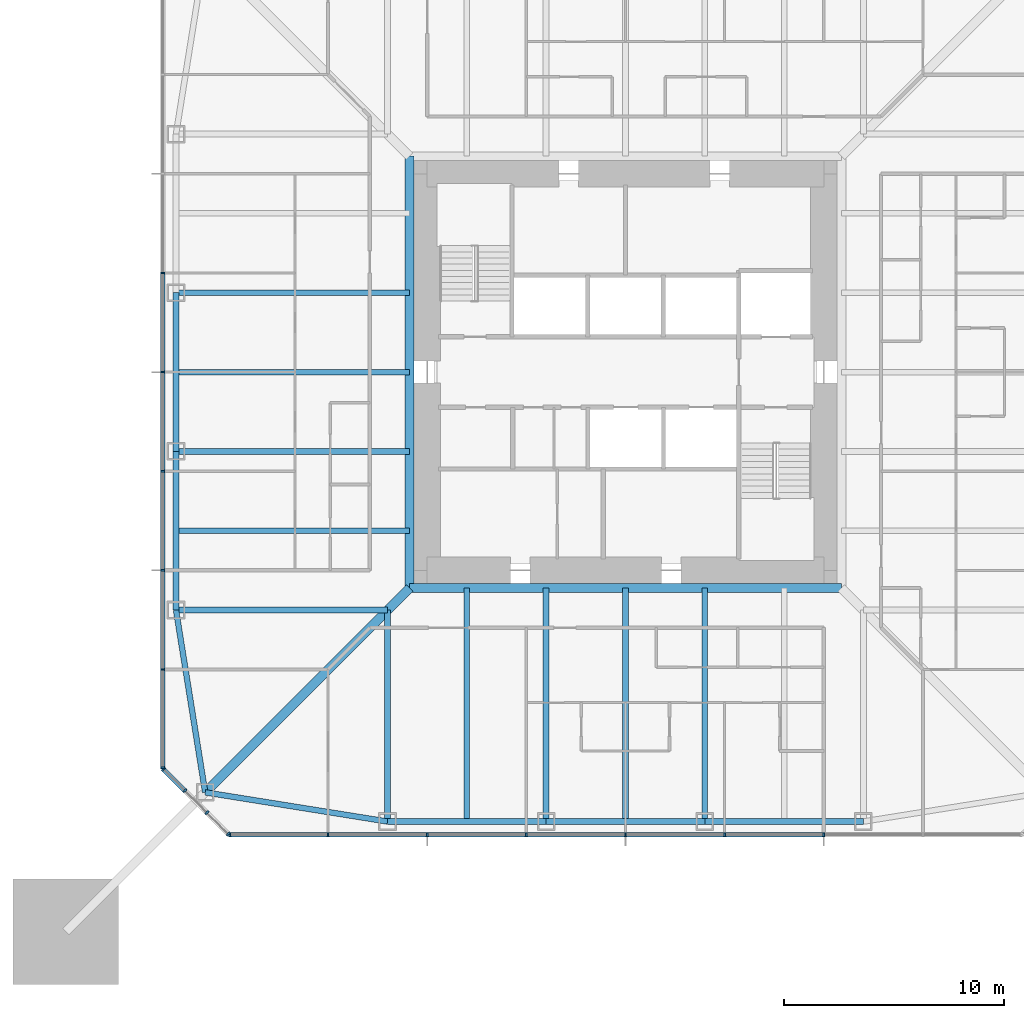
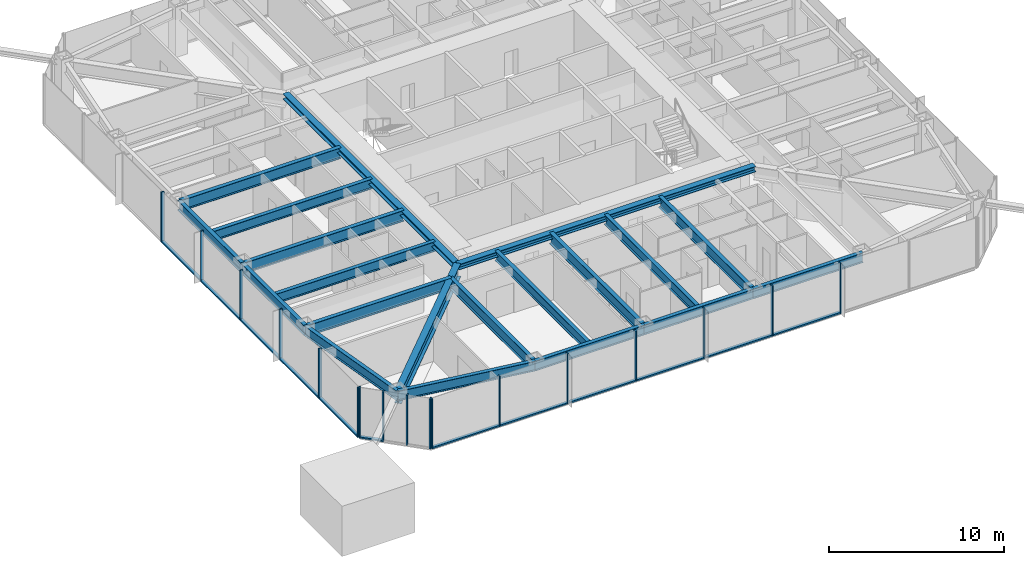
# One storey, part 2 of 14: 29 members, 20 beams, 3 elements without a shape of their own.
"""IFC4 building model written with IfcOpenShell, lengths in metres."""

from ifc_helpers import new_model, si_unit, direction, frame, origin, origin_2d, place, context, subcontext, project, spatial, rectangle, i_section, extrude, material, material_profile, profile_set, type_object, element, aggregate, save


model = new_model("IFC4")

# Units and contexts
model_context = context("Model", 3, precision=1e-05, world=origin(), true_north=direction((0.0, 1.0)))
body_context = subcontext(model_context, "Body", "Model", "MODEL_VIEW")
ifc_project = project(units=[si_unit("LENGTHUNIT", "METRE"), si_unit("AREAUNIT", "SQUARE_METRE"), si_unit("VOLUMEUNIT", "CUBIC_METRE"), si_unit("PLANEANGLEUNIT", "RADIAN"), si_unit("MASSUNIT", "GRAM", prefix="KILO")], contexts=[model_context])

# Site, building, storey
site_placement = place(None, origin())
site = spatial("IfcSite", under=ifc_project, at=site_placement, CompositionType="ELEMENT")
building_placement = place(site_placement, origin())
building = spatial("IfcBuilding", under=site, at=building_placement, Name="Iwan Alto Co-Living Towers", CompositionType="ELEMENT")
storey_placement = place(building_placement, frame((0.0, 0.0, 136.5)))
storey = spatial("IfcBuildingStorey", under=building, at=storey_placement, Name="L37", CompositionType="ELEMENT", Elevation=136.5)

# Curtain wall, members
ifc_material_1 = material(Name="Bronze aluminium unitised frame", Category="aluminium")
curtain_wall_type_1 = type_object("IfcCurtainWallType", Name="CURTAIN WALL CW-A", PredefinedType="NOTDEFINED", material=ifc_material_1)
curtain_wall_1_placement = place(storey_placement, origin())
curtain_wall_1 = element("IfcCurtainWall", 1, at=curtain_wall_1_placement, inside=storey, type_object=curtain_wall_type_1, Name="T1 curtain wall S L37", PredefinedType="NOTDEFINED")
ifc_material_2 = material(Name="Aluminium 6063-T6 bronze anodised", Category="aluminium")
ifc_material_profile_1 = material_profile(ifc_material_2, rectangle(XDim=0.199951171875, YDim=0.080078125, at=origin_2d()), Name="AL 80X200")
ifc_profile_set_1 = profile_set([ifc_material_profile_1], Name="Aluminium 6063-T6 bronze anodised")
member_type_1 = type_object("IfcMemberType", Name="CW-A MULLION 80X200", PredefinedType="MULLION", material=ifc_profile_set_1)
member_1_placement = place(storey_placement, frame((-17.9599609375, -21.0, 0.0), z_axis=(0.0, 0.0, 1.0), x_axis=(0.0, 1.0, 0.0)))
member_1 = element("IfcMember", 2, at=member_1_placement, type_object=member_type_1, Name="CW-A mullion 1", PredefinedType="MULLION", context=body_context, shape_type="SweptSolid", body=[
    extrude(rectangle(XDim=0.199951171875, YDim=0.080078125, at=origin_2d()), origin(), (0.0, 0.0, 1.0), 3.5),
])
member_2_placement = place(storey_placement, frame((-13.5, -21.0, 0.0), z_axis=(0.0, 0.0, 1.0), x_axis=(0.0, 1.0, 0.0)))
member_2 = element("IfcMember", 3, at=member_2_placement, type_object=member_type_1, Name="CW-A mullion 2", PredefinedType="MULLION", context=body_context, shape_type="SweptSolid", body=[
    extrude(rectangle(XDim=0.199951171875, YDim=0.080078125, at=origin_2d()), origin(), (0.0, 0.0, 1.0), 3.5),
])
member_3_placement = place(storey_placement, frame((-9.0, -21.0, 0.0), z_axis=(0.0, 0.0, 1.0), x_axis=(0.0, 1.0, 0.0)))
member_3 = element("IfcMember", 4, at=member_3_placement, type_object=member_type_1, Name="CW-A mullion 3", PredefinedType="MULLION", context=body_context, shape_type="SweptSolid", body=[
    extrude(rectangle(XDim=0.199951171875, YDim=0.080078125, at=origin_2d()), origin(), (0.0, 0.0, 1.0), 3.5),
])
member_4_placement = place(storey_placement, frame((-4.5, -21.0, 0.0), z_axis=(0.0, 0.0, 1.0), x_axis=(0.0, 1.0, 0.0)))
member_4 = element("IfcMember", 5, at=member_4_placement, type_object=member_type_1, Name="CW-A mullion 4", PredefinedType="MULLION", context=body_context, shape_type="SweptSolid", body=[
    extrude(rectangle(XDim=0.199951171875, YDim=0.080078125, at=origin_2d()), origin(), (0.0, 0.0, 1.0), 3.5),
])
member_5_placement = place(storey_placement, frame((0.0, -21.0, 0.0), z_axis=(0.0, 0.0, 1.0), x_axis=(0.0, 1.0, 0.0)))
member_5 = element("IfcMember", 6, at=member_5_placement, type_object=member_type_1, Name="CW-A mullion 5", PredefinedType="MULLION", context=body_context, shape_type="SweptSolid", body=[
    extrude(rectangle(XDim=0.199951171875, YDim=0.080078125, at=origin_2d()), origin(), (0.0, 0.0, 1.0), 3.5),
])
member_6_placement = place(storey_placement, frame((4.5, -21.0, 0.0), z_axis=(0.0, 0.0, 1.0), x_axis=(0.0, 1.0, 0.0)))
member_6 = element("IfcMember", 7, at=member_6_placement, type_object=member_type_1, Name="CW-A mullion 6", PredefinedType="MULLION", context=body_context, shape_type="SweptSolid", body=[
    extrude(rectangle(XDim=0.199951171875, YDim=0.080078125, at=origin_2d()), origin(), (0.0, 0.0, 1.0), 3.5),
])
member_7_placement = place(storey_placement, frame((9.0, -21.0, 0.0), z_axis=(0.0, 0.0, 1.0), x_axis=(0.0, 1.0, 0.0)))
member_7 = element("IfcMember", 8, at=member_7_placement, type_object=member_type_1, Name="CW-A mullion 7", PredefinedType="MULLION", context=body_context, shape_type="SweptSolid", body=[
    extrude(rectangle(XDim=0.199951171875, YDim=0.080078125, at=origin_2d()), origin(), (0.0, 0.0, 1.0), 3.5),
])

curtain_wall_2_placement = place(storey_placement, origin())
curtain_wall_2 = element("IfcCurtainWall", 9, at=curtain_wall_2_placement, inside=storey, type_object=curtain_wall_type_1, Name="T1 curtain wall W L37", PredefinedType="NOTDEFINED")
member_8_placement = place(storey_placement, frame((-21.0, 4.5, 0.0), z_axis=(0.0, 0.0, 1.0), x_axis=(1.0, 0.0, 0.0)))
member_8 = element("IfcMember", 10, at=member_8_placement, type_object=member_type_1, Name="CW-A mullion 4", PredefinedType="MULLION", context=body_context, shape_type="SweptSolid", body=[
    extrude(rectangle(XDim=0.199951171875, YDim=0.080078125, at=origin_2d()), origin(), (0.0, 0.0, 1.0), 3.5),
])
member_9_placement = place(storey_placement, frame((-21.0, 0.0, 0.0), z_axis=(0.0, 0.0, 1.0), x_axis=(1.0, 0.0, 0.0)))
member_9 = element("IfcMember", 11, at=member_9_placement, type_object=member_type_1, Name="CW-A mullion 5", PredefinedType="MULLION", context=body_context, shape_type="SweptSolid", body=[
    extrude(rectangle(XDim=0.199951171875, YDim=0.080078125, at=origin_2d()), origin(), (0.0, 0.0, 1.0), 3.5),
])
member_10_placement = place(storey_placement, frame((-21.0, -4.5, 0.0), z_axis=(0.0, 0.0, 1.0), x_axis=(1.0, 0.0, 0.0)))
member_10 = element("IfcMember", 12, at=member_10_placement, type_object=member_type_1, Name="CW-A mullion 6", PredefinedType="MULLION", context=body_context, shape_type="SweptSolid", body=[
    extrude(rectangle(XDim=0.199951171875, YDim=0.080078125, at=origin_2d()), origin(), (0.0, 0.0, 1.0), 3.5),
])
member_11_placement = place(storey_placement, frame((-21.0, -9.0, 0.0), z_axis=(0.0, 0.0, 1.0), x_axis=(1.0, 0.0, 0.0)))
member_11 = element("IfcMember", 13, at=member_11_placement, type_object=member_type_1, Name="CW-A mullion 7", PredefinedType="MULLION", context=body_context, shape_type="SweptSolid", body=[
    extrude(rectangle(XDim=0.199951171875, YDim=0.080078125, at=origin_2d()), origin(), (0.0, 0.0, 1.0), 3.5),
])
member_12_placement = place(storey_placement, frame((-21.0, -13.5, 0.0), z_axis=(0.0, 0.0, 1.0), x_axis=(1.0, 0.0, 0.0)))
member_12 = element("IfcMember", 14, at=member_12_placement, type_object=member_type_1, Name="CW-A mullion 8", PredefinedType="MULLION", context=body_context, shape_type="SweptSolid", body=[
    extrude(rectangle(XDim=0.199951171875, YDim=0.080078125, at=origin_2d()), origin(), (0.0, 0.0, 1.0), 3.5),
])
member_13_placement = place(storey_placement, frame((-21.0, -17.9599609375, 0.0), z_axis=(0.0, 0.0, 1.0), x_axis=(1.0, 0.0, 0.0)))
member_13 = element("IfcMember", 15, at=member_13_placement, type_object=member_type_1, Name="CW-A mullion 9", PredefinedType="MULLION", context=body_context, shape_type="SweptSolid", body=[
    extrude(rectangle(XDim=0.199951171875, YDim=0.080078125, at=origin_2d()), origin(), (0.0, 0.0, 1.0), 3.5),
])

# Member
ifc_material_3 = material(Name="Aluminium 6063-T6 bronze anodised", Category="aluminium")
ifc_material_profile_2 = material_profile(ifc_material_3, rectangle(XDim=0.199951171875, YDim=0.10009765625, at=origin_2d()), Name="AL 200X100")
ifc_profile_set_2 = profile_set([ifc_material_profile_2], Name="Aluminium 6063-T6 bronze anodised")
member_type_2 = type_object("IfcMemberType", Name="CW-A TRANSOM 200X100", PredefinedType="USERDEFINED", material=ifc_profile_set_2)
member_14_placement = place(storey_placement, frame((-17.919921875, -21.0, 0.050048828125), z_axis=(1.0, 0.0, 0.0), x_axis=(0.0, 1.0, 0.0)))
member_14 = element("IfcMember", 16, at=member_14_placement, type_object=member_type_2, Name="CW-A transom 1.1", ObjectType="TRANSOM", PredefinedType="USERDEFINED", context=body_context, shape_type="SweptSolid", body=[
    extrude(rectangle(XDim=0.199951171875, YDim=0.10009765625, at=origin_2d()), origin(), (0.0, 0.0, 1.0), 4.3798828125),
])

member_15_placement = place(storey_placement, frame((-13.4599609375, -21.0, 0.050048828125), z_axis=(1.0, 0.0, 0.0), x_axis=(0.0, 1.0, 0.0)))
member_15 = element("IfcMember", 17, at=member_15_placement, type_object=member_type_2, Name="CW-A transom 2.1", ObjectType="TRANSOM", PredefinedType="USERDEFINED", context=body_context, shape_type="SweptSolid", body=[
    extrude(rectangle(XDim=0.199951171875, YDim=0.10009765625, at=origin_2d()), origin(), (0.0, 0.0, 1.0), 4.419921875),
])

member_16_placement = place(storey_placement, frame((-8.9599609375, -21.0, 0.050048828125), z_axis=(1.0, 0.0, 0.0), x_axis=(0.0, 1.0, 0.0)))
member_16 = element("IfcMember", 18, at=member_16_placement, type_object=member_type_2, Name="CW-A transom 3.1", ObjectType="TRANSOM", PredefinedType="USERDEFINED", context=body_context, shape_type="SweptSolid", body=[
    extrude(rectangle(XDim=0.199951171875, YDim=0.10009765625, at=origin_2d()), origin(), (0.0, 0.0, 1.0), 4.419921875),
])

member_17_placement = place(storey_placement, frame((-4.4599609375, -21.0, 0.050048828125), z_axis=(1.0, 0.0, 0.0), x_axis=(0.0, 1.0, 0.0)))
member_17 = element("IfcMember", 19, at=member_17_placement, type_object=member_type_2, Name="CW-A transom 4.1", ObjectType="TRANSOM", PredefinedType="USERDEFINED", context=body_context, shape_type="SweptSolid", body=[
    extrude(rectangle(XDim=0.199951171875, YDim=0.10009765625, at=origin_2d()), origin(), (0.0, 0.0, 1.0), 4.419921875),
])

member_18_placement = place(storey_placement, frame((0.0400390625, -21.0, 0.050048828125), z_axis=(1.0, 0.0, 0.0), x_axis=(0.0, 1.0, 0.0)))
member_18 = element("IfcMember", 20, at=member_18_placement, type_object=member_type_2, Name="CW-A transom 5.1", ObjectType="TRANSOM", PredefinedType="USERDEFINED", context=body_context, shape_type="SweptSolid", body=[
    extrude(rectangle(XDim=0.199951171875, YDim=0.10009765625, at=origin_2d()), origin(), (0.0, 0.0, 1.0), 4.419921875),
])

member_19_placement = place(storey_placement, frame((4.5400390625, -21.0, 0.050048828125), z_axis=(1.0, 0.0, 0.0), x_axis=(0.0, 1.0, 0.0)))
member_19 = element("IfcMember", 21, at=member_19_placement, type_object=member_type_2, Name="CW-A transom 6.1", ObjectType="TRANSOM", PredefinedType="USERDEFINED", context=body_context, shape_type="SweptSolid", body=[
    extrude(rectangle(XDim=0.199951171875, YDim=0.10009765625, at=origin_2d()), origin(), (0.0, 0.0, 1.0), 4.419921875),
])

aggregate(curtain_wall_1, [member_1, member_2, member_3, member_4, member_5, member_6, member_7, member_14, member_15, member_16, member_17, member_18, member_19])

member_20_placement = place(storey_placement, frame((-21.0, 4.4599609375, 0.050048828125), z_axis=(0.0, -1.0, 0.0), x_axis=(1.0, 0.0, 0.0)))
member_20 = element("IfcMember", 22, at=member_20_placement, type_object=member_type_2, Name="CW-A transom 4.1", ObjectType="TRANSOM", PredefinedType="USERDEFINED", context=body_context, shape_type="SweptSolid", body=[
    extrude(rectangle(XDim=0.199951171875, YDim=0.10009765625, at=origin_2d()), origin(), (0.0, 0.0, 1.0), 4.419921875),
])

member_21_placement = place(storey_placement, frame((-21.0, -0.0400390625, 0.050048828125), z_axis=(0.0, -1.0, 0.0), x_axis=(1.0, 0.0, 0.0)))
member_21 = element("IfcMember", 23, at=member_21_placement, type_object=member_type_2, Name="CW-A transom 5.1", ObjectType="TRANSOM", PredefinedType="USERDEFINED", context=body_context, shape_type="SweptSolid", body=[
    extrude(rectangle(XDim=0.199951171875, YDim=0.10009765625, at=origin_2d()), origin(), (0.0, 0.0, 1.0), 4.419921875),
])

member_22_placement = place(storey_placement, frame((-21.0, -4.5400390625, 0.050048828125), z_axis=(0.0, -1.0, 0.0), x_axis=(1.0, 0.0, 0.0)))
member_22 = element("IfcMember", 24, at=member_22_placement, type_object=member_type_2, Name="CW-A transom 6.1", ObjectType="TRANSOM", PredefinedType="USERDEFINED", context=body_context, shape_type="SweptSolid", body=[
    extrude(rectangle(XDim=0.199951171875, YDim=0.10009765625, at=origin_2d()), origin(), (0.0, 0.0, 1.0), 4.419921875),
])

member_23_placement = place(storey_placement, frame((-21.0, -9.0400390625, 0.050048828125), z_axis=(0.0, -1.0, 0.0), x_axis=(1.0, 0.0, 0.0)))
member_23 = element("IfcMember", 25, at=member_23_placement, type_object=member_type_2, Name="CW-A transom 7.1", ObjectType="TRANSOM", PredefinedType="USERDEFINED", context=body_context, shape_type="SweptSolid", body=[
    extrude(rectangle(XDim=0.199951171875, YDim=0.10009765625, at=origin_2d()), origin(), (0.0, 0.0, 1.0), 4.419921875),
])

member_24_placement = place(storey_placement, frame((-21.0, -13.5400390625, 0.050048828125), z_axis=(0.0, -1.0, 0.0), x_axis=(1.0, 0.0, 0.0)))
member_24 = element("IfcMember", 26, at=member_24_placement, type_object=member_type_2, Name="CW-A transom 8.1", ObjectType="TRANSOM", PredefinedType="USERDEFINED", context=body_context, shape_type="SweptSolid", body=[
    extrude(rectangle(XDim=0.199951171875, YDim=0.10009765625, at=origin_2d()), origin(), (0.0, 0.0, 1.0), 4.3798828125),
])

aggregate(curtain_wall_2, [member_8, member_9, member_10, member_11, member_12, member_13, member_20, member_21, member_22, member_23, member_24])

# Curtain wall, members
ifc_material_4 = material(Name="Bronze aluminium unitised frame", Category="aluminium")
curtain_wall_type_2 = type_object("IfcCurtainWallType", Name="CURTAIN WALL CW-B", PredefinedType="NOTDEFINED", material=ifc_material_4)
curtain_wall_3_placement = place(storey_placement, origin())
curtain_wall_3 = element("IfcCurtainWall", 27, at=curtain_wall_3_placement, inside=storey, type_object=curtain_wall_type_2, Name="T1 chamfer curtain wall SW L37", PredefinedType="NOTDEFINED")
ifc_material_5 = material(Name="Aluminium 6063-T6 bronze anodised", Category="aluminium")
ifc_material_profile_3 = material_profile(ifc_material_5, rectangle(XDim=0.199951171875, YDim=0.080078125, at=origin_2d()), Name="AL 80X200")
ifc_profile_set_3 = profile_set([ifc_material_profile_3], Name="Aluminium 6063-T6 bronze anodised")
member_type_3 = type_object("IfcMemberType", Name="CW-B MULLION 80X200", PredefinedType="MULLION", material=ifc_profile_set_3)
member_25_placement = place(storey_placement, frame((-20.9716796875, -18.0283203125, 0.0), z_axis=(0.0, 0.0, 1.0), x_axis=(0.707106781187, 0.707106781187, 0.0)))
member_25 = element("IfcMember", 28, at=member_25_placement, type_object=member_type_3, Name="CW-B mullion 1", PredefinedType="MULLION", context=body_context, shape_type="SweptSolid", body=[
    extrude(rectangle(XDim=0.199951171875, YDim=0.080078125, at=origin_2d()), origin(), (0.0, 0.0, 1.0), 3.5),
])
member_26_placement = place(storey_placement, frame((-20.0, -19.0, 0.0), z_axis=(0.0, 0.0, 1.0), x_axis=(0.707106781187, 0.707106781187, 0.0)))
member_26 = element("IfcMember", 29, at=member_26_placement, type_object=member_type_3, Name="CW-B mullion 2", PredefinedType="MULLION", context=body_context, shape_type="SweptSolid", body=[
    extrude(rectangle(XDim=0.199951171875, YDim=0.080078125, at=origin_2d()), origin(), (0.0, 0.0, 1.0), 3.5),
])
member_27_placement = place(storey_placement, frame((-19.0, -20.0, 0.0), z_axis=(0.0, 0.0, 1.0), x_axis=(0.707106781187, 0.707106781187, 0.0)))
member_27 = element("IfcMember", 30, at=member_27_placement, type_object=member_type_3, Name="CW-B mullion 3", PredefinedType="MULLION", context=body_context, shape_type="SweptSolid", body=[
    extrude(rectangle(XDim=0.199951171875, YDim=0.080078125, at=origin_2d()), origin(), (0.0, 0.0, 1.0), 3.5),
])
member_28_placement = place(storey_placement, frame((-18.0283203125, -20.9716796875, 0.0), z_axis=(0.0, 0.0, 1.0), x_axis=(0.707106781187, 0.707106781187, 0.0)))
member_28 = element("IfcMember", 31, at=member_28_placement, type_object=member_type_3, Name="CW-B mullion 4", PredefinedType="MULLION", context=body_context, shape_type="SweptSolid", body=[
    extrude(rectangle(XDim=0.199951171875, YDim=0.080078125, at=origin_2d()), origin(), (0.0, 0.0, 1.0), 3.5),
])
ifc_material_6 = material(Name="Aluminium 6063-T6 bronze anodised", Category="aluminium")
ifc_material_profile_4 = material_profile(ifc_material_6, rectangle(XDim=0.199951171875, YDim=0.10009765625, at=origin_2d()), Name="AL 200X100")
ifc_profile_set_4 = profile_set([ifc_material_profile_4], Name="Aluminium 6063-T6 bronze anodised")
member_type_4 = type_object("IfcMemberType", Name="CW-B TRANSOM 200X100", PredefinedType="USERDEFINED", material=ifc_profile_set_4)
member_29_placement = place(storey_placement, frame((-20.943359375, -18.056640625, 0.050048828125), z_axis=(0.707106781187, -0.707106781187, 0.0), x_axis=(0.707106781187, 0.707106781187, 0.0)))
member_29 = element("IfcMember", 32, at=member_29_placement, type_object=member_type_4, Name="CW-B transom 1.1", ObjectType="TRANSOM", PredefinedType="USERDEFINED", context=body_context, shape_type="SweptSolid", body=[
    extrude(rectangle(XDim=0.199951171875, YDim=0.10009765625, at=origin_2d()), origin(), (0.0, 0.0, 1.0), 1.2939453125),
])
aggregate(curtain_wall_3, [member_25, member_26, member_27, member_28, member_29])

# Beams
ifc_material_7 = material(Name="Steel ASTM A992 Gr 50", Category="steel")
ifc_material_profile_5 = material_profile(ifc_material_7, i_section(OverallWidth=0.398681640625, OverallDepth=0.385986328125, WebThickness=0.02099609375, FlangeThickness=0.033203125, at=origin_2d()), Name="W14X176")
ifc_profile_set_5 = profile_set([ifc_material_profile_5], Name="Steel ASTM A992 Gr 50")
beam_type_1 = type_object("IfcBeamType", Name="T1 CORE LEDGER BEAM W14X176", PredefinedType="BEAM", material=ifc_profile_set_5)
for number, where, z_axis, x_axis, name in (
    (33, (-9.79931640625, -9.79931640625, 3.076904296875), (1.0, 0.0, 0.0), (0.0, 1.0, 0.0), "T1 core ledger beam S L38"),
    (34, (-9.79931640625, 9.79931640625, 3.076904296875), (0.0, -1.0, 0.0), (1.0, 0.0, 0.0), "T1 core ledger beam W L38"),
):
    element("IfcBeam", number, at=place(storey_placement, frame(where, z_axis=z_axis, x_axis=x_axis)), inside=storey, type_object=beam_type_1, Name=name, PredefinedType="BEAM", context=body_context, shape_type="SweptSolid", body=[
        extrude(i_section(OverallWidth=0.398681640625, OverallDepth=0.385986328125, WebThickness=0.02099609375, FlangeThickness=0.033203125, at=origin_2d()), origin(), (0.0, 0.0, 1.0), 19.5986328125),
    ])
ifc_material_8 = material(Name="Steel ASTM A992 Gr 50", Category="steel")
ifc_material_profile_6 = material_profile(ifc_material_8, i_section(OverallWidth=0.419189453125, OverallDepth=0.927001953125, WebThickness=0.019287109375, FlangeThickness=0.031982421875, at=origin_2d()), Name="W36X231")
ifc_profile_set_6 = profile_set([ifc_material_profile_6], Name="Steel ASTM A992 Gr 50")
beam_type_2 = type_object("IfcBeamType", Name="T1 CORNER GIRDER W36X231", PredefinedType="BEAM", material=ifc_profile_set_6)
beam_1_placement = place(storey_placement, frame((-19.07568359375, -19.07568359375, 2.806396484375), z_axis=(0.707106781187, 0.707106781187, 0.0), x_axis=(-0.707106781187, 0.707106781187, 0.0)))
element("IfcBeam", 35, at=beam_1_placement, inside=storey, type_object=beam_type_2, Name="T1 corner girder CSW L38", PredefinedType="BEAM", context=body_context, shape_type="SweptSolid", body=[
    extrude(i_section(OverallWidth=0.419189453125, OverallDepth=0.927001953125, WebThickness=0.019287109375, FlangeThickness=0.031982421875, at=origin_2d()), origin(), (0.0, 0.0, 1.0), 13.11865234375),
])
ifc_material_9 = material(Name="Steel ASTM A992 Gr 50", Category="steel")
ifc_material_profile_7 = material_profile(ifc_material_9, i_section(OverallWidth=0.25390625, OverallDepth=0.683349609375, WebThickness=0.012451171875, FlangeThickness=0.018798828125, at=origin_2d()), Name="W27X94")
ifc_profile_set_7 = profile_set([ifc_material_profile_7], Name="Steel ASTM A992 Gr 50")
beam_type_3 = type_object("IfcBeamType", Name="T1 EDGE BEAM W27X94", PredefinedType="BEAM", material=ifc_profile_set_7)
beam_2_placement = place(storey_placement, frame((-19.07568359375, -19.07568359375, 2.928466796875), z_axis=(0.987438450439, -0.158004134737, 0.0), x_axis=(0.158004134737, 0.987438450439, 0.0)))
element("IfcBeam", 36, at=beam_2_placement, inside=storey, type_object=beam_type_3, Name="T1 edge beam CSW L38", PredefinedType="BEAM", context=body_context, shape_type="SweptSolid", body=[
    extrude(i_section(OverallWidth=0.25390625, OverallDepth=0.683349609375, WebThickness=0.012451171875, FlangeThickness=0.018798828125, at=origin_2d()), origin(), (0.0, 0.0, 1.0), 8.380859375),
])
beam_3_placement = place(storey_placement, frame((-10.800048828125, -20.39990234375, 2.928466796875), z_axis=(1.0, 0.0, 0.0), x_axis=(0.0, 1.0, 0.0)))
element("IfcBeam", 37, at=beam_3_placement, inside=storey, type_object=beam_type_3, Name="T1 edge beam S1 L38", PredefinedType="BEAM", context=body_context, shape_type="SweptSolid", body=[
    extrude(i_section(OverallWidth=0.25390625, OverallDepth=0.683349609375, WebThickness=0.012451171875, FlangeThickness=0.018798828125, at=origin_2d()), origin(), (0.0, 0.0, 1.0), 7.199951171875),
])
beam_4_placement = place(storey_placement, frame((-3.60009765625, -20.39990234375, 2.928466796875), z_axis=(1.0, 0.0, 0.0), x_axis=(0.0, 1.0, 0.0)))
element("IfcBeam", 38, at=beam_4_placement, inside=storey, type_object=beam_type_3, Name="T1 edge beam S2 L38", PredefinedType="BEAM", context=body_context, shape_type="SweptSolid", body=[
    extrude(i_section(OverallWidth=0.25390625, OverallDepth=0.683349609375, WebThickness=0.012451171875, FlangeThickness=0.018798828125, at=origin_2d()), origin(), (0.0, 0.0, 1.0), 7.2001953125),
])
beam_5_placement = place(storey_placement, frame((3.60009765625, -20.39990234375, 2.928466796875), z_axis=(1.0, 0.0, 0.0), x_axis=(0.0, 1.0, 0.0)))
element("IfcBeam", 39, at=beam_5_placement, inside=storey, type_object=beam_type_3, Name="T1 edge beam S3 L38", PredefinedType="BEAM", context=body_context, shape_type="SweptSolid", body=[
    extrude(i_section(OverallWidth=0.25390625, OverallDepth=0.683349609375, WebThickness=0.012451171875, FlangeThickness=0.018798828125, at=origin_2d()), origin(), (0.0, 0.0, 1.0), 7.199951171875),
])
beam_6_placement = place(storey_placement, frame((-20.39990234375, 3.60009765625, 2.928466796875), z_axis=(0.0, -1.0, 0.0), x_axis=(1.0, 0.0, 0.0)))
element("IfcBeam", 40, at=beam_6_placement, inside=storey, type_object=beam_type_3, Name="T1 edge beam W2 L38", PredefinedType="BEAM", context=body_context, shape_type="SweptSolid", body=[
    extrude(i_section(OverallWidth=0.25390625, OverallDepth=0.683349609375, WebThickness=0.012451171875, FlangeThickness=0.018798828125, at=origin_2d()), origin(), (0.0, 0.0, 1.0), 7.2001953125),
])
beam_7_placement = place(storey_placement, frame((-20.39990234375, -3.60009765625, 2.928466796875), z_axis=(0.0, -1.0, 0.0), x_axis=(1.0, 0.0, 0.0)))
element("IfcBeam", 41, at=beam_7_placement, inside=storey, type_object=beam_type_3, Name="T1 edge beam W3 L38", PredefinedType="BEAM", context=body_context, shape_type="SweptSolid", body=[
    extrude(i_section(OverallWidth=0.25390625, OverallDepth=0.683349609375, WebThickness=0.012451171875, FlangeThickness=0.018798828125, at=origin_2d()), origin(), (0.0, 0.0, 1.0), 7.199951171875),
])
beam_8_placement = place(storey_placement, frame((-20.39990234375, -10.800048828125, 2.928466796875), z_axis=(0.158004134737, -0.987438450439, 0.0), x_axis=(0.987438450439, 0.158004134737, 0.0)))
element("IfcBeam", 42, at=beam_8_placement, inside=storey, type_object=beam_type_3, Name="T1 edge beam W4 L38", PredefinedType="BEAM", context=body_context, shape_type="SweptSolid", body=[
    extrude(i_section(OverallWidth=0.25390625, OverallDepth=0.683349609375, WebThickness=0.012451171875, FlangeThickness=0.018798828125, at=origin_2d()), origin(), (0.0, 0.0, 1.0), 8.380859375),
])
ifc_material_10 = material(Name="Steel ASTM A992 Gr 50", Category="steel")
ifc_material_profile_8 = material_profile(ifc_material_10, i_section(OverallWidth=0.2666015625, OverallDepth=0.761962890625, WebThickness=0.014404296875, FlangeThickness=0.021484375, at=origin_2d()), Name="W30X116")
ifc_profile_set_8 = profile_set([ifc_material_profile_8], Name="Steel ASTM A992 Gr 50")
beam_type_4 = type_object("IfcBeamType", Name="T1 RADIAL BEAM W30X116", PredefinedType="BEAM", material=ifc_profile_set_8)
beam_9_placement = place(storey_placement, frame((-10.800048828125, -20.39990234375, 2.888916015625), z_axis=(0.0, 1.0, 0.0), x_axis=(-1.0, 0.0, 0.0)))
element("IfcBeam", 43, at=beam_9_placement, inside=storey, type_object=beam_type_4, Name="T1 radial beam S1 L38", PredefinedType="BEAM", context=body_context, shape_type="SweptSolid", body=[
    extrude(i_section(OverallWidth=0.2666015625, OverallDepth=0.761962890625, WebThickness=0.014404296875, FlangeThickness=0.021484375, at=origin_2d()), origin(), (0.0, 0.0, 1.0), 9.599853515625),
])
for number, where, z_axis, x_axis, name in (
    (44, (-3.60009765625, -20.39990234375, 2.888916015625), (0.0, 1.0, 0.0), (-1.0, 0.0, 0.0), "T1 radial beam S2 L38"),
    (45, (3.60009765625, -20.39990234375, 2.888916015625), (0.0, 1.0, 0.0), (-1.0, 0.0, 0.0), "T1 radial beam S3 L38"),
    (46, (-20.39990234375, 3.60009765625, 2.888916015625), (1.0, 0.0, 0.0), (0.0, 1.0, 0.0), "T1 radial beam W2 L38"),
    (47, (-20.39990234375, -3.60009765625, 2.888916015625), (1.0, 0.0, 0.0), (0.0, 1.0, 0.0), "T1 radial beam W3 L38"),
):
    element("IfcBeam", number, at=place(storey_placement, frame(where, z_axis=z_axis, x_axis=x_axis)), inside=storey, type_object=beam_type_4, Name=name, PredefinedType="BEAM", context=body_context, shape_type="SweptSolid", body=[
        extrude(i_section(OverallWidth=0.2666015625, OverallDepth=0.761962890625, WebThickness=0.014404296875, FlangeThickness=0.021484375, at=origin_2d()), origin(), (0.0, 0.0, 1.0), 10.6005859375),
    ])
beam_10_placement = place(storey_placement, frame((-20.39990234375, -10.800048828125, 2.888916015625), z_axis=(1.0, 0.0, 0.0), x_axis=(0.0, 1.0, 0.0)))
element("IfcBeam", 48, at=beam_10_placement, inside=storey, type_object=beam_type_4, Name="T1 radial beam W4 L38", PredefinedType="BEAM", context=body_context, shape_type="SweptSolid", body=[
    extrude(i_section(OverallWidth=0.2666015625, OverallDepth=0.761962890625, WebThickness=0.014404296875, FlangeThickness=0.021484375, at=origin_2d()), origin(), (0.0, 0.0, 1.0), 9.599853515625),
])
ifc_material_11 = material(Name="Steel ASTM A992 Gr 50", Category="steel")
ifc_material_profile_9 = material_profile(ifc_material_11, i_section(OverallWidth=0.25390625, OverallDepth=0.683349609375, WebThickness=0.012451171875, FlangeThickness=0.018798828125, at=origin_2d()), Name="W27X94")
ifc_profile_set_9 = profile_set([ifc_material_profile_9], Name="Steel ASTM A992 Gr 50")
beam_type_5 = type_object("IfcBeamType", Name="T1 SECONDARY BEAM W27X94", PredefinedType="JOIST", material=ifc_profile_set_9)
for number, where, z_axis, x_axis, name in (
    (49, (-7.199951171875, -20.39990234375, 2.928466796875), (0.0, 1.0, 0.0), (-1.0, 0.0, 0.0), "T1 secondary beam S1 L38"),
    (50, (0.0, -20.39990234375, 2.928466796875), (0.0, 1.0, 0.0), (-1.0, 0.0, 0.0), "T1 secondary beam S2 L38"),
    (51, (-20.39990234375, 0.0, 2.928466796875), (1.0, 0.0, 0.0), (0.0, 1.0, 0.0), "T1 secondary beam W2 L38"),
    (52, (-20.39990234375, -7.199951171875, 2.928466796875), (1.0, 0.0, 0.0), (0.0, 1.0, 0.0), "T1 secondary beam W3 L38"),
):
    element("IfcBeam", number, at=place(storey_placement, frame(where, z_axis=z_axis, x_axis=x_axis)), inside=storey, type_object=beam_type_5, Name=name, PredefinedType="JOIST", context=body_context, shape_type="SweptSolid", body=[
        extrude(i_section(OverallWidth=0.25390625, OverallDepth=0.683349609375, WebThickness=0.012451171875, FlangeThickness=0.018798828125, at=origin_2d()), origin(), (0.0, 0.0, 1.0), 10.6005859375),
    ])

save(model, "model.ifc")
